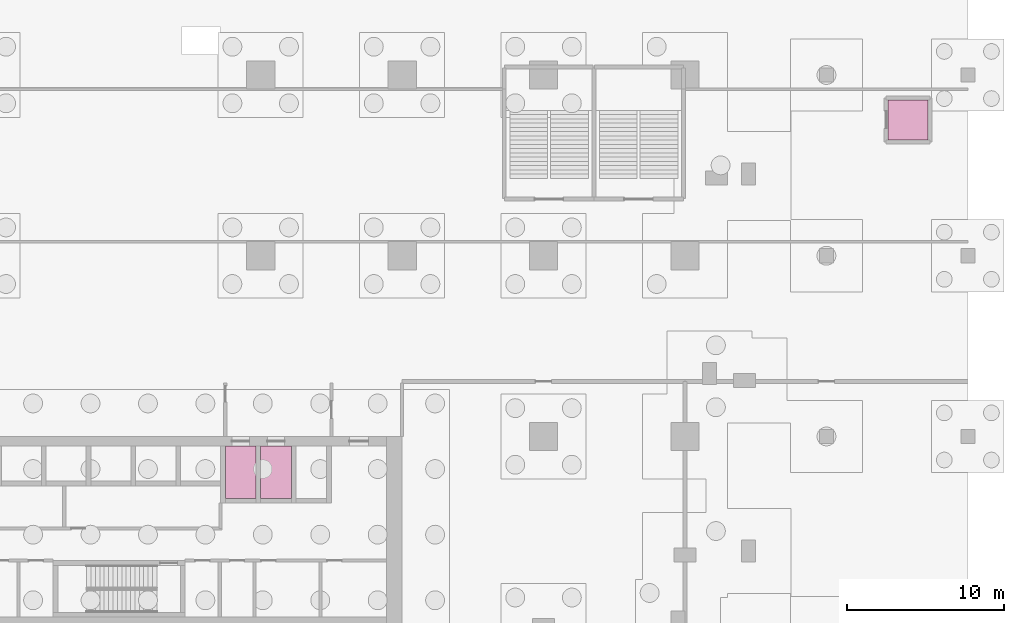
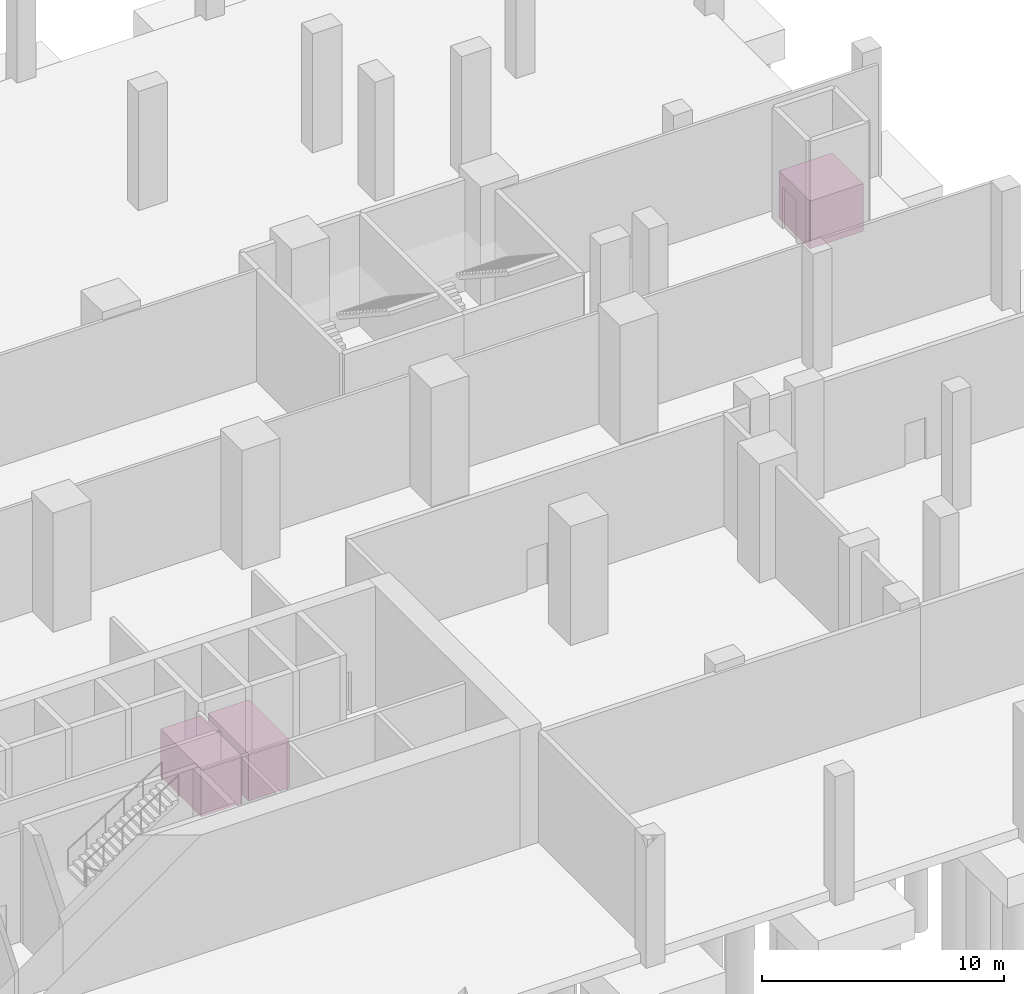
# One storey, part 9 of 9: 3 transport elements.
"""IFC4 building model written with IfcOpenShell, lengths in metres."""

from ifc_helpers import new_model, si_unit, direction, frame, origin, origin_2d, place, context, subcontext, project, spatial, rectangle, extrude, material, type_object, element, save


model = new_model("IFC4")

# Units and contexts
model_context = context("Model", 3, precision=1e-05, world=origin(), true_north=direction((0.0, 1.0)))
body_context = subcontext(model_context, "Body", "Model", "MODEL_VIEW")
ifc_project = project(units=[si_unit("LENGTHUNIT", "METRE"), si_unit("AREAUNIT", "SQUARE_METRE"), si_unit("VOLUMEUNIT", "CUBIC_METRE"), si_unit("PLANEANGLEUNIT", "RADIAN"), si_unit("MASSUNIT", "GRAM", prefix="KILO")], contexts=[model_context])

# Site, building, storey
site_placement = place(None, origin())
site = spatial("IfcSite", under=ifc_project, at=site_placement, CompositionType="ELEMENT")
building_placement = place(site_placement, origin())
building = spatial("IfcBuilding", under=site, at=building_placement, Name="Brigalow Station Residences", CompositionType="ELEMENT")
storey_placement = place(building_placement, frame((0.0, 0.0, -6.0)))
storey = spatial("IfcBuildingStorey", under=building, at=storey_placement, Name="B1", CompositionType="ELEMENT", Elevation=-6.0)

# Transport elements
ifc_material_1 = material(Name="Stainless steel car with laminated glass panels", Category="steel")
transport_element_type_1 = type_object("IfcTransportElementType", Name="FIREFIGHTING LIFT 2000 KG 1500 x 2700", PredefinedType="ELEVATOR", material=ifc_material_1)
for number, where, z_axis, x_axis, name in (
    (1, (43.72509765625, 10.22509765625, 0.0), (0.0, 0.0, 1.0), (1.0, 0.0, 0.0), "FIREFIGHTING LIFT LF1"),
    (2, (45.97509765625, 10.22509765625, 0.0), (0.0, 0.0, 1.0), (1.0, 0.0, 0.0), "FIREFIGHTING LIFT LF2"),
):
    element("IfcTransportElement", number, at=place(storey_placement, frame(where, z_axis=z_axis, x_axis=x_axis)), inside=storey, type_object=transport_element_type_1, Name=name, PredefinedType="ELEVATOR", context=body_context, shape_type="SweptSolid", body=[
        extrude(rectangle(XDim=1.949951171875, YDim=3.35009765625, at=origin_2d()), origin(), (0.0, 0.0, 1.0), 2.39990234375),
    ])
ifc_material_2 = material(Name="Stainless steel car with glass panel", Category="steel")
transport_element_type_2 = type_object("IfcTransportElementType", Name="LIFT PASSENGER 1275 KG", PredefinedType="ELEVATOR", material=ifc_material_2)
transport_element_placement = place(storey_placement, frame((86.199951171875, 32.64990234375, 0.0), z_axis=(0.0, 0.0, 1.0), x_axis=(1.0, 0.0, 0.0)))
element("IfcTransportElement", 3, at=transport_element_placement, inside=storey, type_object=transport_element_type_2, Name="Station lift car", PredefinedType="ELEVATOR", context=body_context, shape_type="SweptSolid", body=[
    extrude(rectangle(XDim=2.550048828125, YDim=2.550048828125, at=origin_2d()), origin(), (0.0, 0.0, 1.0), 2.39990234375),
])

save(model, "model.ifc")
